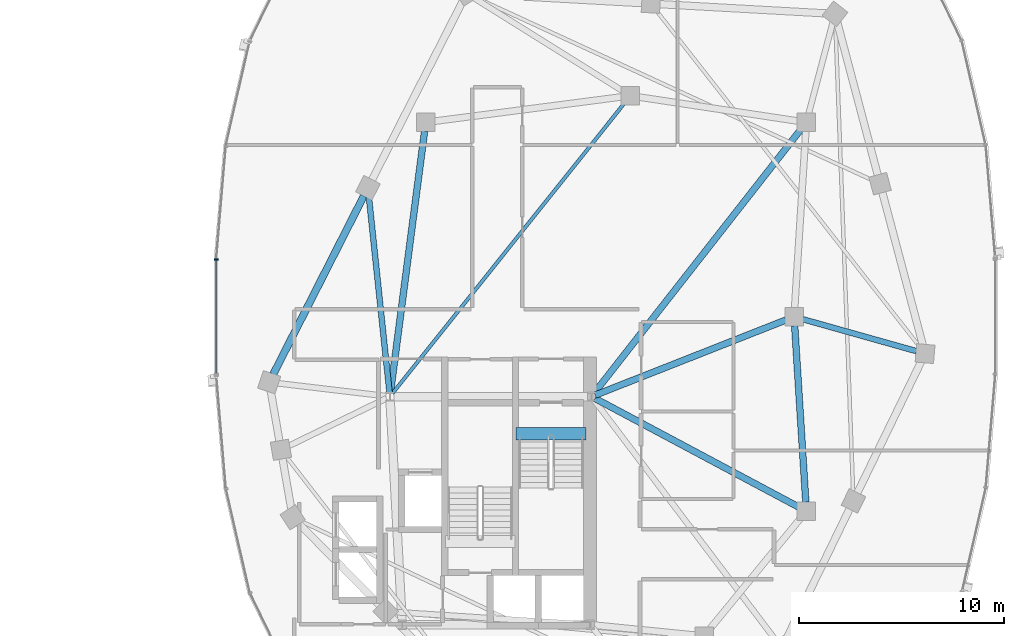
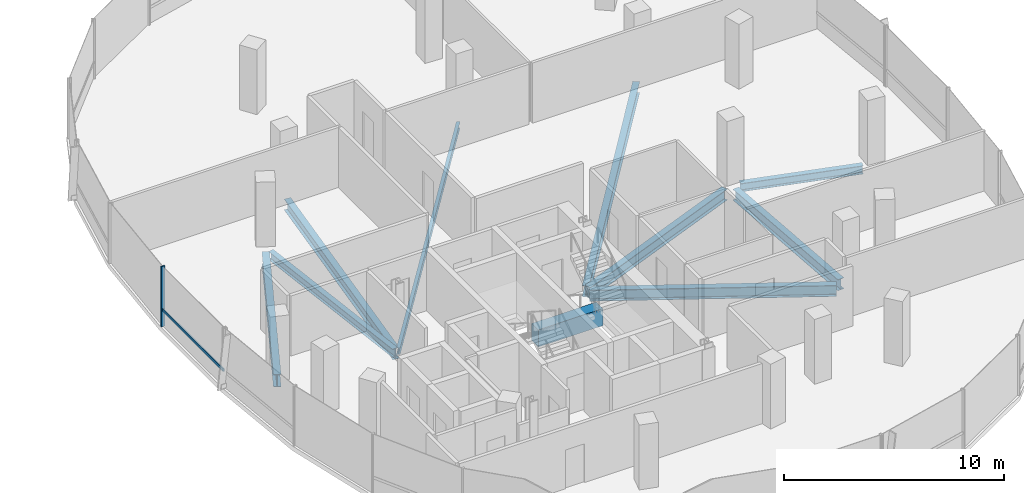
# One storey, part 9 of 25: 10 beams, 2 members, 1 element without a shape of its own.
"""IFC4 building model written with IfcOpenShell, lengths in metres."""

from ifc_helpers import new_model, si_unit, direction, frame, origin, origin_2d, place, context, subcontext, project, spatial, rectangle, i_section, extrude, material, material_profile, profile_set, type_object, element, aggregate, save


model = new_model("IFC4")

# Units and contexts
model_context = context("Model", 3, precision=1e-05, world=origin(), true_north=direction((0.0, 1.0)))
body_context = subcontext(model_context, "Body", "Model", "MODEL_VIEW")
ifc_project = project(units=[si_unit("LENGTHUNIT", "METRE"), si_unit("AREAUNIT", "SQUARE_METRE"), si_unit("VOLUMEUNIT", "CUBIC_METRE"), si_unit("PLANEANGLEUNIT", "RADIAN"), si_unit("MASSUNIT", "GRAM", prefix="KILO"), si_unit("THERMODYNAMICTEMPERATUREUNIT", "KELVIN"), si_unit("POWERUNIT", "WATT")], contexts=[model_context])

# Site, building, storey
site_placement = place(None, origin())
site = spatial("IfcSite", under=ifc_project, at=site_placement, CompositionType="ELEMENT")
building_placement = place(site_placement, origin())
building = spatial("IfcBuilding", under=site, at=building_placement, Name="Cundina Bronze Exchange", CompositionType="ELEMENT")
storey_placement = place(building_placement, frame((0.0, 0.0, 209.800048828125)))
storey = spatial("IfcBuildingStorey", under=building, at=storey_placement, Name="L55", CompositionType="ELEMENT", Elevation=209.800048828125)

# Beams
ifc_material_1 = material(Name="Concrete C60/75", Category="concrete")
ifc_material_profile_1 = material_profile(ifc_material_1, rectangle(XDim=0.60009765625, YDim=0.949951171875, at=origin_2d()), Name="RC600X950", Category="concrete")
ifc_profile_set_1 = profile_set([ifc_material_profile_1], Name="Concrete C60/75")
beam_type_1 = type_object("IfcBeamType", Name="BM-COUP-RC950", PredefinedType="LINTEL", material=ifc_profile_set_1)
beam_1_placement = place(storey_placement, frame((27.6201171875, -5.719970703125, -0.47509765625), z_axis=(1.0, 0.0, 0.0), x_axis=(0.0, 1.0, 0.0)))
element("IfcBeam", 1, at=beam_1_placement, inside=storey, type_object=beam_type_1, Name="L55 Stair E1 Landing Header Beam", PredefinedType="LINTEL", context=body_context, shape_type="SweptSolid", body=[
    extrude(rectangle(XDim=0.60009765625, YDim=0.949951171875, at=origin_2d()), origin(), (0.0, 0.0, 1.0), 3.39990234375),
])
ifc_material_2 = material(Name="Steel ASTM A992 Grade 50", Category="steel")
ifc_material_profile_2 = material_profile(ifc_material_2, i_section(OverallWidth=0.280029296875, OverallDepth=0.462890625, WebThickness=0.0107421875, FlangeThickness=0.017333984375, FilletRadius=0.011962890625, at=origin_2d()), Name="W18X76", Category="steel")
ifc_profile_set_2 = profile_set([ifc_material_profile_2], Name="Steel ASTM A992 Grade 50")
beam_type_2 = type_object("IfcBeamType", Name="BM-FLR-W18A", PredefinedType="BEAM", material=ifc_profile_set_2)
beam_2_placement = place(storey_placement, frame((41.62158203125, -0.11865234375, -0.491455078125), z_axis=(0.96265679604, -0.270724755127, 0.0), x_axis=(0.270724755127, 0.96265679604, 0.0)))
element("IfcBeam", 2, at=beam_2_placement, inside=storey, type_object=beam_type_2, Name="L55 Leg E Chordal Floor Beam 08", PredefinedType="BEAM", context=body_context, shape_type="SweptSolid", body=[
    extrude(i_section(OverallWidth=0.280029296875, OverallDepth=0.462890625, WebThickness=0.0107421875, FlangeThickness=0.017333984375, FilletRadius=0.011962890625, at=origin_2d()), origin(), (0.0, 0.0, 1.0), 5.7724609375),
])
beam_3_placement = place(storey_placement, frame((21.429443359375, -3.705078125, -0.491455078125), z_axis=(-0.104810251666, 0.994492237851, 0.0), x_axis=(-0.994492237851, -0.104810251666, 0.0)))
element("IfcBeam", 3, at=beam_3_placement, inside=storey, type_object=beam_type_2, Name="L55 Leg E Chordal Floor Beam 13", PredefinedType="BEAM", context=body_context, shape_type="SweptSolid", body=[
    extrude(i_section(OverallWidth=0.280029296875, OverallDepth=0.462890625, WebThickness=0.0107421875, FlangeThickness=0.017333984375, FilletRadius=0.011962890625, at=origin_2d()), origin(), (0.0, 0.0, 1.0), 9.62255859375),
])
ifc_material_profile_3 = material_profile(ifc_material_2, i_section(OverallWidth=0.172119140625, OverallDepth=0.35791015625, WebThickness=0.0078125, FlangeThickness=0.01318359375, FilletRadius=0.010009765625, at=origin_2d()), Name="W14X38", Category="steel")
ifc_profile_set_3 = profile_set([ifc_material_profile_3], Name="Steel ASTM A992 Grade 50")
beam_type_3 = type_object("IfcBeamType", Name="BM-JST-W14", PredefinedType="JOIST", material=ifc_profile_set_3)
beam_4_placement = place(storey_placement, frame((21.572509765625, -3.746826171875, -0.43896484375), z_axis=(0.624364266872, 0.781133319129, 0.0), x_axis=(-0.781133319129, 0.624364266872, 0.0)))
element("IfcBeam", 4, at=beam_4_placement, inside=storey, type_object=beam_type_3, Name="L55 E Interior Core-to-Ring Joist 2", PredefinedType="JOIST", context=body_context, shape_type="SweptSolid", body=[
    extrude(i_section(OverallWidth=0.172119140625, OverallDepth=0.35791015625, WebThickness=0.0078125, FlangeThickness=0.01318359375, FilletRadius=0.010009765625, at=origin_2d()), origin(), (0.0, 0.0, 1.0), 18.184814453125),
])
ifc_material_profile_4 = material_profile(ifc_material_2, i_section(OverallWidth=0.324951171875, OverallDepth=0.615966796875, WebThickness=0.013916015625, FlangeThickness=0.021484375, FilletRadius=0.01611328125, at=origin_2d()), Name="W24X117", Category="steel")
ifc_profile_set_4 = profile_set([ifc_material_profile_4], Name="Steel ASTM A992 Grade 50")
beam_type_4 = type_object("IfcBeamType", Name="BM-RING-W24", PredefinedType="USERDEFINED", material=ifc_profile_set_4)
beam_5_placement = place(storey_placement, frame((41.7724609375, -9.06298828125, -0.568115234375), z_axis=(-0.063046519736, 0.998010589297, 0.0), x_axis=(-0.998010589297, -0.063046519736, 0.0)))
element("IfcBeam", 5, at=beam_5_placement, inside=storey, type_object=beam_type_4, Name="L55 E Inner Structural Ring Girder 03", ObjectType="GIRDER", PredefinedType="USERDEFINED", context=body_context, shape_type="SweptSolid", body=[
    extrude(i_section(OverallWidth=0.324951171875, OverallDepth=0.615966796875, WebThickness=0.013916015625, FlangeThickness=0.021484375, FilletRadius=0.01611328125, at=origin_2d()), origin(), (0.0, 0.0, 1.0), 8.64306640625),
])
beam_6_placement = place(storey_placement, frame((23.143310546875, 9.065673828125, -0.568115234375), z_axis=(-0.129501251979, -0.991579258424, 0.0), x_axis=(0.991579258424, -0.129501251979, 0.0)))
element("IfcBeam", 6, at=beam_6_placement, inside=storey, type_object=beam_type_4, Name="L55 E Inner Structural Ring Girder 07", ObjectType="GIRDER", PredefinedType="USERDEFINED", context=body_context, shape_type="SweptSolid", body=[
    extrude(i_section(OverallWidth=0.324951171875, OverallDepth=0.615966796875, WebThickness=0.013916015625, FlangeThickness=0.021484375, FilletRadius=0.01611328125, at=origin_2d()), origin(), (0.0, 0.0, 1.0), 12.8798828125),
])
beam_7_placement = place(storey_placement, frame((31.482421875, -3.828125, -0.568115234375), z_axis=(0.930404106569, 0.366535398673, 0.0), x_axis=(-0.366535398673, 0.930404106569, 0.0)))
element("IfcBeam", 7, at=beam_7_placement, inside=storey, type_object=beam_type_4, Name="L55 E Core-to-Waist Tie Beam 1", ObjectType="GIRDER", PredefinedType="USERDEFINED", context=body_context, shape_type="SweptSolid", body=[
    extrude(i_section(OverallWidth=0.324951171875, OverallDepth=0.615966796875, WebThickness=0.013916015625, FlangeThickness=0.021484375, FilletRadius=0.01611328125, at=origin_2d()), origin(), (0.0, 0.0, 1.0), 10.00634765625),
])
beam_8_placement = place(storey_placement, frame((31.472900390625, -3.9921875, -0.568115234375), z_axis=(0.882350541683, -0.470592734317, 0.0), x_axis=(0.470592734317, 0.882350541683, 0.0)))
element("IfcBeam", 8, at=beam_8_placement, inside=storey, type_object=beam_type_4, Name="L55 E Core-to-Waist Tie Beam 2", ObjectType="GIRDER", PredefinedType="USERDEFINED", context=body_context, shape_type="SweptSolid", body=[
    extrude(i_section(OverallWidth=0.324951171875, OverallDepth=0.615966796875, WebThickness=0.013916015625, FlangeThickness=0.021484375, FilletRadius=0.01611328125, at=origin_2d()), origin(), (0.0, 0.0, 1.0), 11.26611328125),
])
beam_9_placement = place(storey_placement, frame((31.4208984375, -3.74560546875, -0.568115234375), z_axis=(0.616782900053, 0.787133314123, 0.0), x_axis=(-0.787133314123, 0.616782900053, 0.0)))
element("IfcBeam", 9, at=beam_9_placement, inside=storey, type_object=beam_type_4, Name="L55 E Core-to-Waist Tie Beam 3", ObjectType="GIRDER", PredefinedType="USERDEFINED", context=body_context, shape_type="SweptSolid", body=[
    extrude(i_section(OverallWidth=0.324951171875, OverallDepth=0.615966796875, WebThickness=0.013916015625, FlangeThickness=0.021484375, FilletRadius=0.01611328125, at=origin_2d()), origin(), (0.0, 0.0, 1.0), 16.3896484375),
])
ifc_material_profile_5 = material_profile(ifc_material_2, i_section(OverallWidth=0.35498046875, OverallDepth=0.695068359375, WebThickness=0.015380859375, FlangeThickness=0.02490234375, FilletRadius=0.01806640625, at=origin_2d()), Name="W27X146", Category="steel")
ifc_profile_set_5 = profile_set([ifc_material_profile_5], Name="Steel ASTM A992 Grade 50")
beam_type_5 = type_object("IfcBeamType", Name="BM-RING-W27", PredefinedType="USERDEFINED", material=ifc_profile_set_5)
beam_10_placement = place(storey_placement, frame((20.1767578125, 5.909423828125, -0.607666015625), z_axis=(-0.452846871434, -0.891588308039, 0.0), x_axis=(0.891588308039, -0.452846871434, 0.0)))
element("IfcBeam", 10, at=beam_10_placement, inside=storey, type_object=beam_type_5, Name="L55 E Perimeter Ring Girder 13", ObjectType="GIRDER", PredefinedType="USERDEFINED", context=body_context, shape_type="SweptSolid", body=[
    extrude(i_section(OverallWidth=0.35498046875, OverallDepth=0.695068359375, WebThickness=0.015380859375, FlangeThickness=0.02490234375, FilletRadius=0.01806640625, at=origin_2d()), origin(), (0.0, 0.0, 1.0), 9.779052734375),
])

# Curtain wall, members
ifc_material_3 = material(Name="Anodised Bronze Aluminium 6063-T6", Category="aluminium")
curtain_wall_type = type_object("IfcCurtainWallType", Name="CWS-UPP-OFF", PredefinedType="NOTDEFINED", material=ifc_material_3)
curtain_wall_placement = place(storey_placement, origin())
curtain_wall = element("IfcCurtainWall", 11, at=curtain_wall_placement, inside=storey, type_object=curtain_wall_type, Name="L55 CW-05 Curtain Wall Run CWR-L55-E2", PredefinedType="NOTDEFINED")
ifc_material_profile_6 = material_profile(ifc_material_3, rectangle(XDim=0.070068359375, YDim=0.18994140625, at=origin_2d()), Name="AL70X190", Category="aluminium")
ifc_profile_set_6 = profile_set([ifc_material_profile_6], Name="Anodised Bronze Aluminium 6063-T6")
member_type_1 = type_object("IfcMemberType", Name="CWM-MUL-190", PredefinedType="MULLION", material=ifc_profile_set_6)
member_1_placement = place(storey_placement, frame((12.966064453125, 2.794921875, 0.0), z_axis=(0.0, 0.0, 1.0), x_axis=(0.0, -1.0, 0.0)))
member_1 = element("IfcMember", 12, at=member_1_placement, type_object=member_type_1, Name="CW-05 Mullion 7", PredefinedType="MULLION", context=body_context, shape_type="SweptSolid", body=[
    extrude(rectangle(XDim=0.070068359375, YDim=0.18994140625, at=origin_2d()), origin(), (0.0, 0.0, 1.0), 3.33984375),
])
ifc_material_profile_7 = material_profile(ifc_material_3, rectangle(XDim=0.06494140625, YDim=0.14990234375, at=origin_2d()), Name="AL65X150", Category="aluminium")
ifc_profile_set_7 = profile_set([ifc_material_profile_7], Name="Anodised Bronze Aluminium 6063-T6")
member_type_2 = type_object("IfcMemberType", Name="CWM-TRN-150", PredefinedType="USERDEFINED", material=ifc_profile_set_7)
member_2_placement = place(storey_placement, frame((12.966064453125, 2.756591796875, 0.919921875), z_axis=(0.0, -1.0, 0.0), x_axis=(1.0, 0.0, 0.0)))
member_2 = element("IfcMember", 13, at=member_2_placement, type_object=member_type_2, Name="CW-05 Spandrel Transom 7", ObjectType="TRANSOM", PredefinedType="USERDEFINED", context=body_context, shape_type="SweptSolid", body=[
    extrude(rectangle(XDim=0.06494140625, YDim=0.14990234375, at=origin_2d()), origin(), (0.0, 0.0, 1.0), 5.51318359375),
])
aggregate(curtain_wall, [member_1, member_2])

save(model, "model.ifc")
